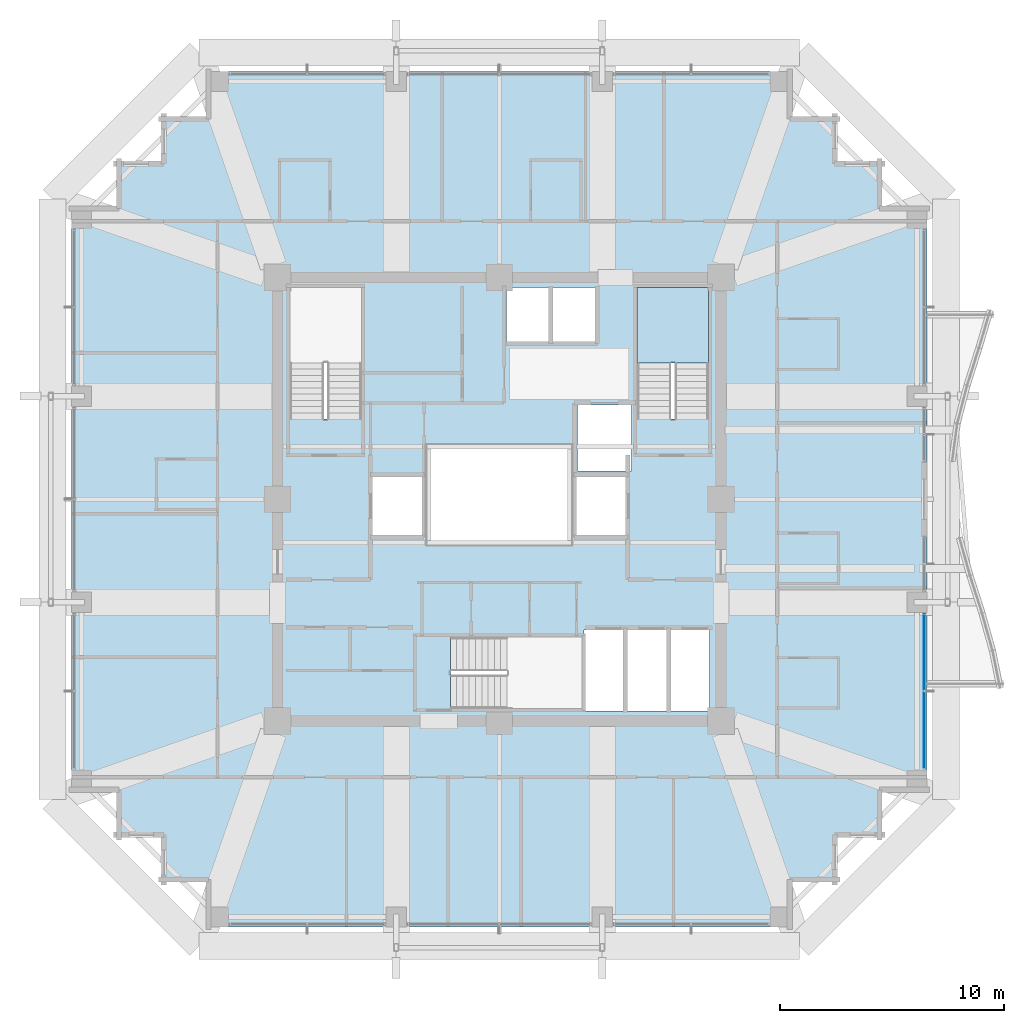
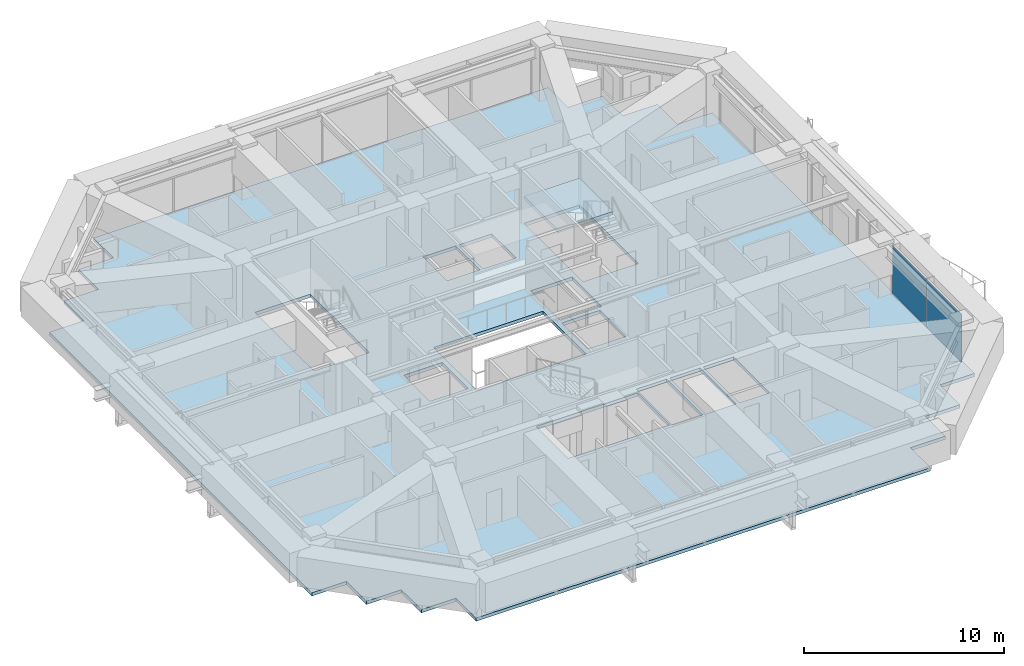
# One storey, part 31 of 40: 2 plates, 2 slabs, 2 elements without a shape of their own.
"""IFC4 building model written with IfcOpenShell, lengths in metres."""

from ifc_helpers import new_model, si_unit, direction, frame, origin, origin_2d, place, context, subcontext, project, spatial, polyline, rectangle, outline, extrude, material, layer, layer_set, type_object, element, aggregate, save


model = new_model("IFC4")

# Units and contexts
model_context = context("Model", 3, precision=1e-05, world=origin(), true_north=direction((0.0, 1.0)))
body_context = subcontext(model_context, "Body", "Model", "MODEL_VIEW")
ifc_project = project(units=[si_unit("LENGTHUNIT", "METRE"), si_unit("AREAUNIT", "SQUARE_METRE"), si_unit("VOLUMEUNIT", "CUBIC_METRE"), si_unit("PLANEANGLEUNIT", "RADIAN"), si_unit("MASSUNIT", "GRAM", prefix="KILO")], contexts=[model_context])

# Site, building, storey
site_placement = place(None, origin())
site = spatial("IfcSite", under=ifc_project, at=site_placement, CompositionType="ELEMENT")
building_placement = place(site_placement, origin())
building = spatial("IfcBuilding", under=site, at=building_placement, Name="Kolvaren Belvedere", CompositionType="ELEMENT")
storey_placement = place(building_placement, frame((0.0, 0.0, 170.10009765625)))
storey = spatial("IfcBuildingStorey", under=building, at=storey_placement, Name="L49", CompositionType="ELEMENT", Elevation=170.10009765625)

# Curtain wall, plates
ifc_material_1 = material(Name="Anodised pale-metal aluminium AA 6063-T6", Category="aluminium")
curtain_wall_type = type_object("IfcCurtainWallType", Name="CW-Z3-WAIST", PredefinedType="NOTDEFINED", material=ifc_material_1)
curtain_wall_placement = place(storey_placement, origin())
curtain_wall = element("IfcCurtainWall", 1, at=curtain_wall_placement, inside=storey, type_object=curtain_wall_type, Name="L49 Unitised Curtain Wall FCW-L49-E2-B2", PredefinedType="NOTDEFINED")
ifc_material_2 = material(Name="Low-iron triple insulated glass", Category="glass")
ifc_layer_1 = layer(ifc_material_2, 0.028076171875)
ifc_layer_set_1 = layer_set([ifc_layer_1], Name="Low-iron triple insulated glass")
plate_type = type_object("IfcPlateType", Name="CW-PNL-VIS28", PredefinedType="CURTAIN_PANEL", material=ifc_layer_set_1)
plate_1_placement = place(storey_placement, frame((18.97998046875, -6.8388671875, 0.079833984375), z_axis=(0.0, 0.0, 1.0), x_axis=(0.0, -1.0, 0.0)))
plate_1 = element("IfcPlate", 2, at=plate_1_placement, type_object=plate_type, Name="FCW-L49-E2-B2 Vision Glazing Panel 1", PredefinedType="CURTAIN_PANEL", context=body_context, shape_type="SweptSolid", body=[
    extrude(rectangle(XDim=3.392578125, YDim=0.028076171875, at=origin_2d()), origin(), (0.0, 0.0, 1.0), 2.919921875),
])
plate_2_placement = place(storey_placement, frame((18.97998046875, -10.311279296875, 0.079833984375), z_axis=(0.0, 0.0, 1.0), x_axis=(0.0, -1.0, 0.0)))
plate_2 = element("IfcPlate", 3, at=plate_2_placement, type_object=plate_type, Name="FCW-L49-E2-B2 Vision Glazing Panel 2", PredefinedType="CURTAIN_PANEL", context=body_context, shape_type="SweptSolid", body=[
    extrude(rectangle(XDim=3.392578125, YDim=0.028076171875, at=origin_2d()), origin(), (0.0, 0.0, 1.0), 2.919921875),
])
aggregate(curtain_wall, [plate_1, plate_2])

# Slab
ifc_material_3 = material(Name="Concrete C50/60", Category="concrete")
ifc_layer_2 = layer(ifc_material_3, 0.199951171875)
ifc_layer_set_2 = layer_set([ifc_layer_2], Name="Concrete C50/60")
slab_type_1 = type_object("IfcSlabType", Name="SL-FLR-200", PredefinedType="FLOOR", material=ifc_layer_set_2)
slab_1_placement = place(storey_placement, frame((0.0, 0.0, -0.2001953125)))
element("IfcSlab", 4, at=slab_1_placement, inside=storey, type_object=slab_type_1, Name="L49 Primary Structural Slab", PredefinedType="FLOOR", context=body_context, shape_type="SweptSolid", body=[
    extrude(outline(polyline([(-13.10009765625, -19.10009765625), (13.10009765625, -19.10009765625), (13.10009765625, -17.10009765625), (15.10009765625, -17.10009765625), (15.10009765625, -15.10009765625), (17.10009765625, -15.10009765625), (17.10009765625, -13.10009765625), (19.10009765625, -13.10009765625), (19.10009765625, 13.10009765625), (17.10009765625, 13.10009765625), (17.10009765625, 15.10009765625), (15.10009765625, 15.10009765625), (15.10009765625, 17.10009765625), (13.10009765625, 17.10009765625), (13.10009765625, 19.10009765625), (-13.10009765625, 19.10009765625), (-13.10009765625, 17.10009765625), (-15.10009765625, 17.10009765625), (-15.10009765625, 15.10009765625), (-17.10009765625, 15.10009765625), (-17.10009765625, 13.10009765625), (-19.10009765625, 13.10009765625), (-19.10009765625, -13.10009765625), (-17.10009765625, -13.10009765625), (-17.10009765625, -15.10009765625), (-15.10009765625, -15.10009765625), (-15.10009765625, -17.10009765625), (-13.10009765625, -17.10009765625), (-13.10009765625, -19.10009765625)]), holes=[polyline([(-9.35009765625, 3.580078125), (-6.159912109375, 3.580078125), (-6.159912109375, 9.449951171875), (-9.35009765625, 9.449951171875), (-9.35009765625, 3.580078125)]), polyline([(6.159912109375, 3.580078125), (9.35009765625, 3.580078125), (9.35009765625, 9.449951171875), (6.159912109375, 9.449951171875), (6.159912109375, 3.580078125)]), polyline([(-2.169921875, -9.35009765625), (3.699951171875, -9.35009765625), (3.699951171875, -6.159912109375), (-2.169921875, -6.159912109375), (-2.169921875, -9.35009765625)]), polyline([(-5.64990234375, -1.60009765625), (-3.449951171875, -1.60009765625), (-3.449951171875, 1.0), (-5.64990234375, 1.0), (-5.64990234375, -1.60009765625)]), polyline([(3.5, 1.25), (5.89990234375, 1.25), (5.89990234375, 4.199951171875), (3.5, 4.199951171875), (3.5, 1.25)]), polyline([(3.449951171875, -1.60009765625), (5.64990234375, -1.60009765625), (5.64990234375, 1.0), (3.449951171875, 1.0), (3.449951171875, -1.60009765625)]), polyline([(3.7900390625, -9.449951171875), (5.5400390625, -9.449951171875), (5.5400390625, -5.85009765625), (3.7900390625, -5.85009765625), (3.7900390625, -9.449951171875)]), polyline([(5.719970703125, -9.449951171875), (7.469970703125, -9.449951171875), (7.469970703125, -5.85009765625), (5.719970703125, -5.85009765625), (5.719970703125, -9.449951171875)]), polyline([(7.64990234375, -9.449951171875), (9.39990234375, -9.449951171875), (9.39990234375, -5.85009765625), (7.64990234375, -5.85009765625), (7.64990234375, -9.449951171875)]), polyline([(0.320068359375, 7.050048828125), (2.219970703125, 7.050048828125), (2.219970703125, 9.449951171875), (0.320068359375, 9.449951171875), (0.320068359375, 7.050048828125)]), polyline([(2.39990234375, 7.050048828125), (4.300048828125, 7.050048828125), (4.300048828125, 9.449951171875), (2.39990234375, 9.449951171875), (2.39990234375, 7.050048828125)]), polyline([(-3.14990234375, -1.949951171875), (3.14990234375, -1.949951171875), (3.14990234375, 2.35009765625), (-3.14990234375, 2.35009765625), (-3.14990234375, -1.949951171875)])]), origin(), (0.0, 0.0, 1.0), 0.2001953125),
])

# Stair, slab
ifc_material_4 = material(Name="Concrete C50/60", Category="concrete")
stair_type = type_object("IfcStairType", Name="ST-CORE-1520", PredefinedType="HALF_TURN_STAIR", material=ifc_material_4)
stair_placement = place(storey_placement, origin())
stair = element("IfcStair", 5, at=stair_placement, inside=storey, type_object=stair_type, Name="L49 Protected Exit Stair ST-2", PredefinedType="HALF_TURN_STAIR")
ifc_material_5 = material(Name="Concrete C50/60", Category="concrete")
ifc_layer_3 = layer(ifc_material_5, 0.260009765625)
ifc_layer_set_3 = layer_set([ifc_layer_3], Name="Concrete C50/60")
slab_type_2 = type_object("IfcSlabType", Name="SL-LAND-260", PredefinedType="LANDING", material=ifc_layer_set_3)
slab_2_placement = place(storey_placement, frame((0.0, 0.0, 1.449951171875)))
slab_2 = element("IfcSlab", 6, at=slab_2_placement, type_object=slab_type_2, Name="ST-2 landing 1", PredefinedType="LANDING", context=body_context, shape_type="SweptSolid", body=[
    extrude(outline(polyline([(9.35009765625, 6.090087890625), (9.35009765625, 9.449951171875), (6.159912109375, 9.449951171875), (6.159912109375, 6.090087890625), (9.35009765625, 6.090087890625)])), origin(), (0.0, 0.0, 1.0), 0.199951171875),
])
aggregate(stair, [slab_2])

save(model, "model.ifc")
